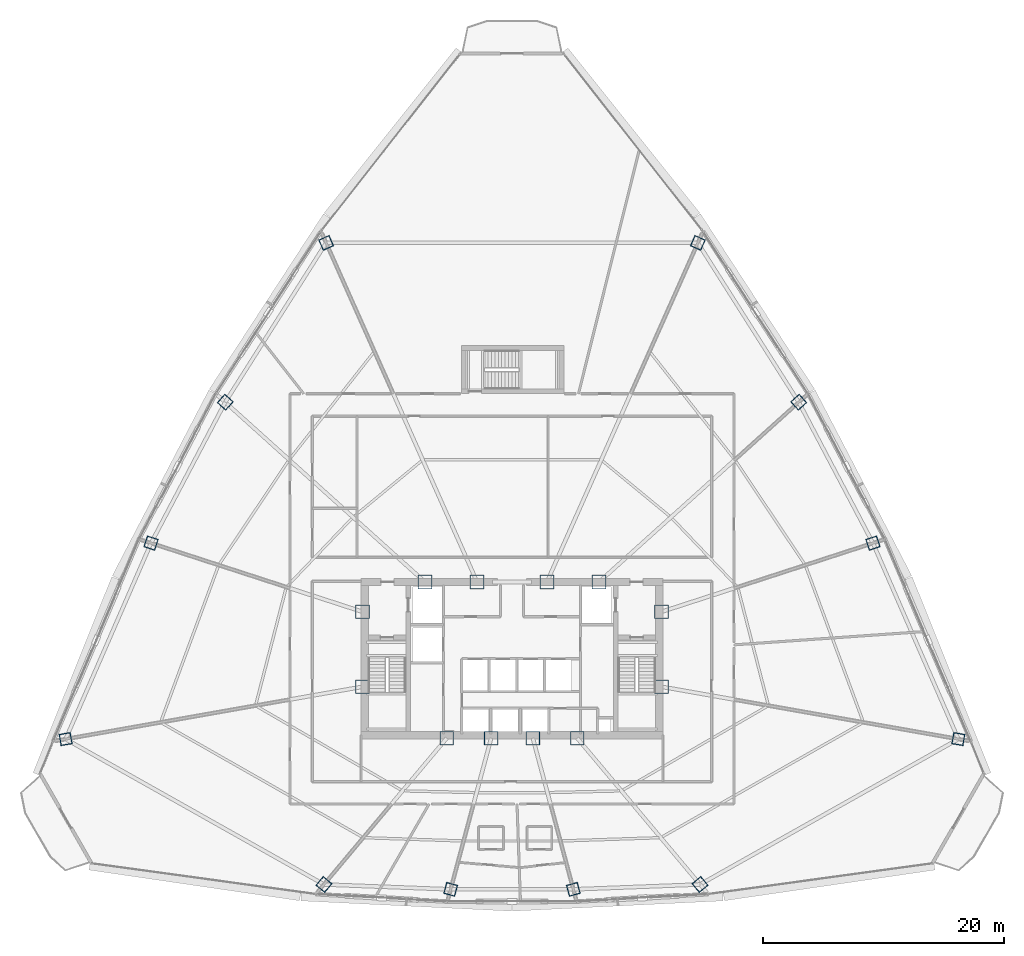
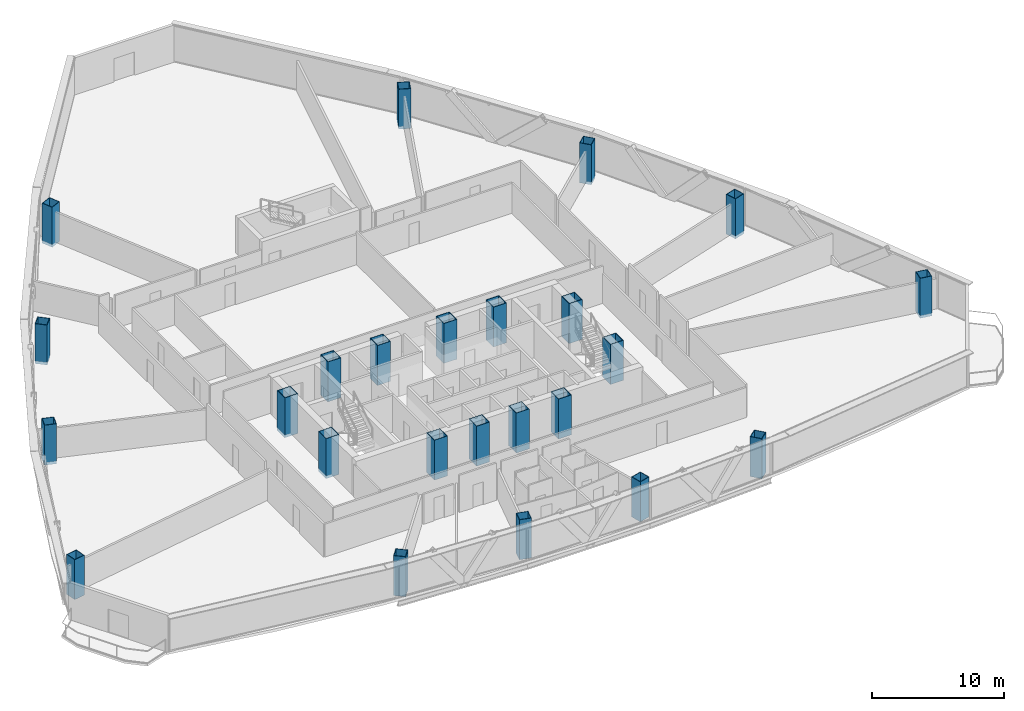
# One storey, part 1 of 39: 24 columns.
"""IFC4 building model written with IfcOpenShell, lengths in metres."""

from ifc_helpers import new_model, si_unit, direction, frame, origin, origin_2d, place, context, subcontext, project, spatial, hollow_rectangle, extrude, source, transform, mapped, material, material_profile, profile_set, type_object, element, save


model = new_model("IFC4")

# Units and contexts
model_context = context("Model", 3, precision=1e-05, world=origin(), true_north=direction((0.0, 1.0)))
body_context = subcontext(model_context, "Body", "Model", "MODEL_VIEW")
ifc_project = project(units=[si_unit("LENGTHUNIT", "METRE"), si_unit("AREAUNIT", "SQUARE_METRE"), si_unit("VOLUMEUNIT", "CUBIC_METRE"), si_unit("PLANEANGLEUNIT", "RADIAN"), si_unit("MASSUNIT", "GRAM", prefix="KILO"), si_unit("THERMODYNAMICTEMPERATUREUNIT", "KELVIN"), si_unit("POWERUNIT", "WATT")], contexts=[model_context])

# Site, building, storey
site_placement = place(None, origin())
site = spatial("IfcSite", under=ifc_project, at=site_placement, CompositionType="ELEMENT")
building_placement = place(site_placement, origin())
building = spatial("IfcBuilding", under=site, at=building_placement, Name="Yunzhuo Pagoda Commons", CompositionType="ELEMENT")
storey_placement = place(building_placement, frame((0.0, 0.0, 166.6298828125)))
storey = spatial("IfcBuildingStorey", under=building, at=storey_placement, Name="L42", CompositionType="ELEMENT", Elevation=166.6298828125)

# Columns
ifc_material = material(Name="Structural steel Q420B", Category="steel")
ifc_material_profile_1 = material_profile(ifc_material, hollow_rectangle(XDim=1.14990234375, YDim=1.14990234375, WallThickness=0.048095703125, at=origin_2d()), Name="Structural steel Q420B")
ifc_profile_set_1 = profile_set([ifc_material_profile_1], Name="Structural steel Q420B")
column_type_1 = type_object("IfcColumnType", Name="C-COR Column BOX 1150x1150x48", PredefinedType="COLUMN", material=ifc_profile_set_1)
shared_shape_1 = source(origin(), body_context, "Body", "SweptSolid", [
    extrude(hollow_rectangle(XDim=1.14990234375, YDim=1.14990234375, WallThickness=0.048095703125, at=origin_2d()), origin(), (0.0, 0.0, 1.0), 3.679931640625),
])
for number, where, z_axis, x_axis, name in (
    (1, (42.587890625, 27.25, -0.259765625), (0.0, 0.0, 1.0), (1.0, 0.0, 0.0), "L42 core composite column F1C1"),
    (2, (46.27197265625, 27.25, -0.259765625), (0.0, 0.0, 1.0), (1.0, 0.0, 0.0), "L42 core composite column F1C2"),
    (3, (49.728515625, 27.25, -0.259765625), (0.0, 0.0, 1.0), (1.0, 0.0, 0.0), "L42 core composite column F1C3"),
    (4, (53.412109375, 27.25, -0.259765625), (0.0, 0.0, 1.0), (1.0, 0.0, 0.0), "L42 core composite column F1C4"),
    (5, (60.39990234375, 31.513427734375, -0.259765625), (0.0, 0.0, 1.0), (1.0, 0.0, 0.0), "L42 core composite column F2C1"),
    (6, (60.39990234375, 37.72900390625, -0.259765625), (0.0, 0.0, 1.0), (1.0, 0.0, 0.0), "L42 core composite column F2C2"),
    (7, (55.218994140625, 40.199951171875, -0.259765625), (0.0, 0.0, 1.0), (1.0, 0.0, 0.0), "L42 core composite column F2C3"),
    (8, (50.89404296875, 40.199951171875, -0.259765625), (0.0, 0.0, 1.0), (1.0, 0.0, 0.0), "L42 core composite column F2C4"),
    (9, (45.10595703125, 40.199951171875, -0.259765625), (0.0, 0.0, 1.0), (1.0, 0.0, 0.0), "L42 core composite column F3C1"),
    (10, (40.781005859375, 40.199951171875, -0.259765625), (0.0, 0.0, 1.0), (1.0, 0.0, 0.0), "L42 core composite column F3C2"),
    (11, (35.60009765625, 37.72900390625, -0.259765625), (0.0, 0.0, 1.0), (1.0, 0.0, 0.0), "L42 core composite column F3C3"),
    (12, (35.60009765625, 31.513427734375, -0.259765625), (0.0, 0.0, 1.0), (1.0, 0.0, 0.0), "L42 core composite column F3C4"),
):
    element("IfcColumn", number, at=place(storey_placement, frame(where, z_axis=z_axis, x_axis=x_axis)), inside=storey, type_object=column_type_1, Name=name, PredefinedType="COLUMN", context=body_context, shape_type="MappedRepresentation", body=[
        mapped(shared_shape_1, transform((0.0, 0.0, 0.0), scale=1.0)),
    ])
ifc_material_profile_2 = material_profile(ifc_material, hollow_rectangle(XDim=0.949951171875, YDim=0.949951171875, WallThickness=0.0400390625, at=origin_2d()), Name="Structural steel Q420B")
ifc_profile_set_2 = profile_set([ifc_material_profile_2], Name="Structural steel Q420B")
column_type_2 = type_object("IfcColumnType", Name="C-Z3 Column BOX 950x950x40", PredefinedType="COLUMN", material=ifc_profile_set_2)
shared_shape_2 = source(origin(), body_context, "Body", "SweptSolid", [
    extrude(hollow_rectangle(XDim=0.949951171875, YDim=0.949951171875, WallThickness=0.0400390625, at=origin_2d()), origin(), (0.0, 0.0, 1.0), 3.679931640625),
])
for number, where, z_axis, x_axis, name in (
    (13, (32.414794921875, 15.126220703125, -0.259765625), (0.0, 0.0, 1.0), (0.766044443119, -0.642787609687, 0.0), "L42 tower column F1C1"),
    (14, (42.914794921875, 14.7216796875, -0.259765625), (0.0, 0.0, 1.0), (0.965925826289, -0.258819045103, 0.0), "L42 tower column F1C2"),
    (15, (53.085205078125, 14.7216796875, -0.259765625), (0.0, 0.0, 1.0), (0.965925826289, 0.258819045103, 0.0), "L42 tower column F1C3"),
    (16, (63.585205078125, 15.126220703125, -0.259765625), (0.0, 0.0, 1.0), (0.766044443119, 0.642787609687, 0.0), "L42 tower column F1C4"),
    (17, (84.9970703125, 27.176513671875, -0.259765625), (0.0, 0.0, 1.0), (0.173648177667, 0.984807753012, 0.0), "L42 tower column F2C1"),
    (18, (77.915283203125, 43.420166015625, -0.259765625), (0.0, 0.0, 1.0), (-0.309016994375, 0.951056516295, 0.0), "L42 tower column F2C2"),
    (19, (71.76611328125, 55.09912109375, -0.259765625), (0.0, 0.0, 1.0), (-0.669130606359, 0.743144825477, 0.0), "L42 tower column F2C3"),
    (20, (63.406005859375, 68.302734375, -0.259765625), (0.0, 0.0, 1.0), (-0.913545457643, 0.406736643076, 0.0), "L42 tower column F2C4"),
    (21, (32.593994140625, 68.302734375, -0.259765625), (0.0, 0.0, 1.0), (-0.913545457643, -0.406736643076, 0.0), "L42 tower column F3C1"),
    (22, (24.23388671875, 55.09912109375, -0.259765625), (0.0, 0.0, 1.0), (-0.669130606359, -0.743144825477, 0.0), "L42 tower column F3C2"),
    (23, (18.084716796875, 43.420166015625, -0.259765625), (0.0, 0.0, 1.0), (-0.309016994375, -0.951056516295, 0.0), "L42 tower column F3C3"),
    (24, (11.0029296875, 27.176513671875, -0.259765625), (0.0, 0.0, 1.0), (0.173648177667, -0.984807753012, 0.0), "L42 tower column F3C4"),
):
    element("IfcColumn", number, at=place(storey_placement, frame(where, z_axis=z_axis, x_axis=x_axis)), inside=storey, type_object=column_type_2, Name=name, PredefinedType="COLUMN", context=body_context, shape_type="MappedRepresentation", body=[
        mapped(shared_shape_2, transform((0.0, 0.0, 0.0), scale=1.0)),
    ])

save(model, "model.ifc")
